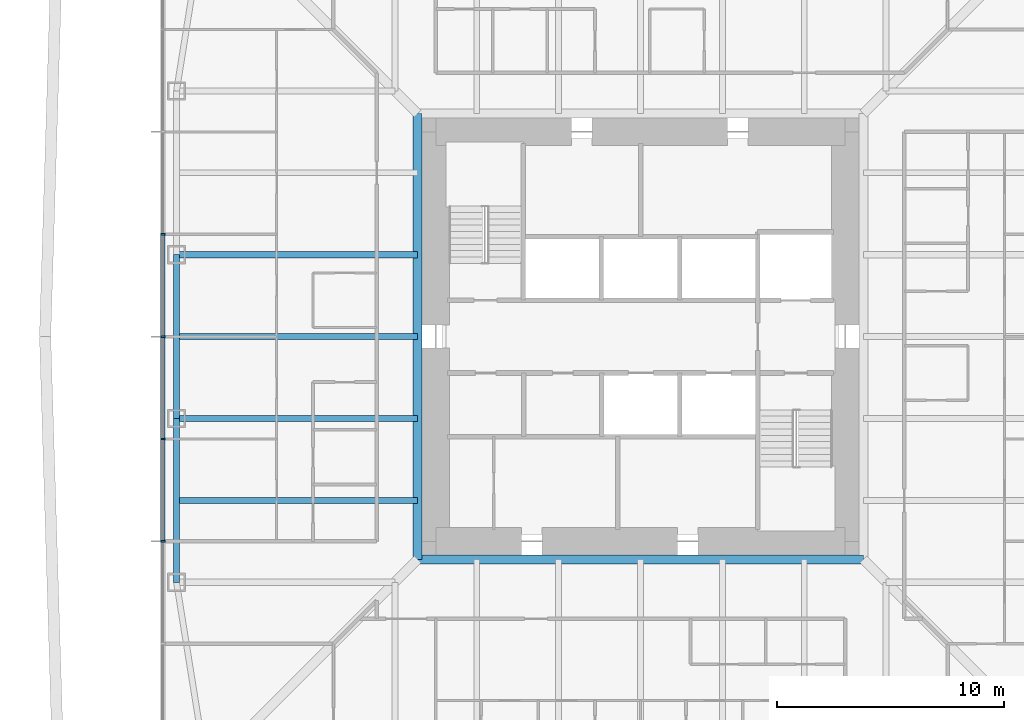
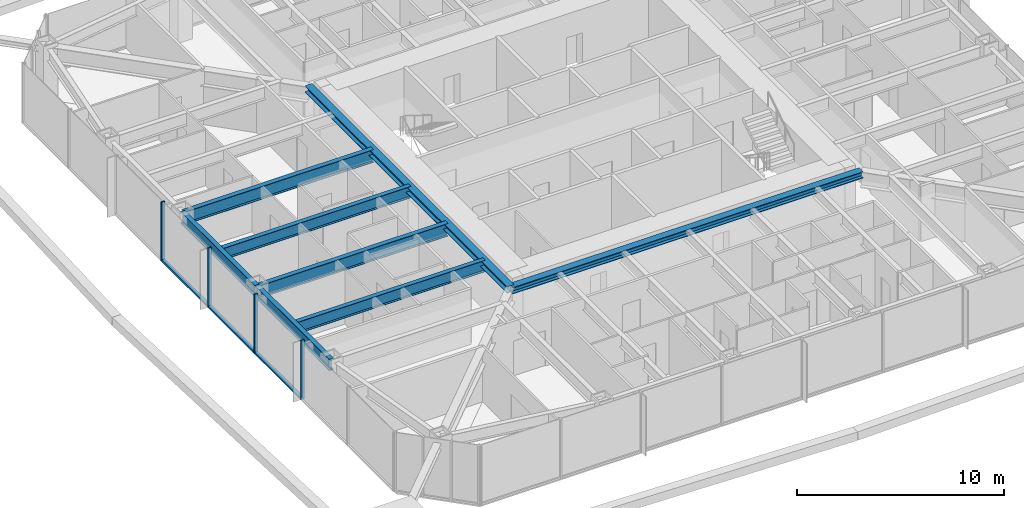
# One storey, part 4 of 27: 8 beams, 7 members, 1 element without a shape of its own.
"""IFC4 building model written with IfcOpenShell, lengths in metres."""

from ifc_helpers import new_model, si_unit, direction, frame, origin, origin_2d, place, context, subcontext, project, spatial, rectangle, i_section, extrude, material, material_profile, profile_set, type_object, element, aggregate, save


model = new_model("IFC4")

# Units and contexts
model_context = context("Model", 3, precision=1e-05, world=origin(), true_north=direction((0.0, 1.0)))
body_context = subcontext(model_context, "Body", "Model", "MODEL_VIEW")
ifc_project = project(units=[si_unit("LENGTHUNIT", "METRE"), si_unit("AREAUNIT", "SQUARE_METRE"), si_unit("VOLUMEUNIT", "CUBIC_METRE"), si_unit("PLANEANGLEUNIT", "RADIAN"), si_unit("MASSUNIT", "GRAM", prefix="KILO")], contexts=[model_context])

# Site, building, storey
site_placement = place(None, origin())
site = spatial("IfcSite", under=ifc_project, at=site_placement, CompositionType="ELEMENT")
building_placement = place(site_placement, origin())
building = spatial("IfcBuilding", under=site, at=building_placement, Name="Iwan Alto Co-Living Towers", CompositionType="ELEMENT")
storey_placement = place(building_placement, frame((0.0, 0.0, 91.0)))
storey = spatial("IfcBuildingStorey", under=building, at=storey_placement, Name="L24", CompositionType="ELEMENT", Elevation=91.0)

# Curtain wall, members
ifc_material_1 = material(Name="Bronze aluminium unitised frame", Category="aluminium")
curtain_wall_type = type_object("IfcCurtainWallType", Name="CURTAIN WALL CW-A", PredefinedType="NOTDEFINED", material=ifc_material_1)
curtain_wall_placement = place(storey_placement, origin())
curtain_wall = element("IfcCurtainWall", 1, at=curtain_wall_placement, inside=storey, type_object=curtain_wall_type, Name="T1 curtain wall W L24", PredefinedType="NOTDEFINED")
ifc_material_2 = material(Name="Aluminium 6063-T6 bronze anodised", Category="aluminium")
ifc_material_profile_1 = material_profile(ifc_material_2, rectangle(XDim=0.199951171875, YDim=0.080078125, at=origin_2d()), Name="AL 80X200")
ifc_profile_set_1 = profile_set([ifc_material_profile_1], Name="Aluminium 6063-T6 bronze anodised")
member_type_1 = type_object("IfcMemberType", Name="CW-A MULLION 80X200", PredefinedType="MULLION", material=ifc_profile_set_1)
member_1_placement = place(storey_placement, frame((-21.0, 4.5, 0.0), z_axis=(0.0, 0.0, 1.0), x_axis=(1.0, 0.0, 0.0)))
member_1 = element("IfcMember", 2, at=member_1_placement, type_object=member_type_1, Name="CW-A mullion 4", PredefinedType="MULLION", context=body_context, shape_type="SweptSolid", body=[
    extrude(rectangle(XDim=0.199951171875, YDim=0.080078125, at=origin_2d()), origin(), (0.0, 0.0, 1.0), 3.5),
])
member_2_placement = place(storey_placement, frame((-21.0, 0.0, 0.0), z_axis=(0.0, 0.0, 1.0), x_axis=(1.0, 0.0, 0.0)))
member_2 = element("IfcMember", 3, at=member_2_placement, type_object=member_type_1, Name="CW-A mullion 5", PredefinedType="MULLION", context=body_context, shape_type="SweptSolid", body=[
    extrude(rectangle(XDim=0.199951171875, YDim=0.080078125, at=origin_2d()), origin(), (0.0, 0.0, 1.0), 3.5),
])
member_3_placement = place(storey_placement, frame((-21.0, -4.5, 0.0), z_axis=(0.0, 0.0, 1.0), x_axis=(1.0, 0.0, 0.0)))
member_3 = element("IfcMember", 4, at=member_3_placement, type_object=member_type_1, Name="CW-A mullion 6", PredefinedType="MULLION", context=body_context, shape_type="SweptSolid", body=[
    extrude(rectangle(XDim=0.199951171875, YDim=0.080078125, at=origin_2d()), origin(), (0.0, 0.0, 1.0), 3.5),
])
member_4_placement = place(storey_placement, frame((-21.0, -9.0, 0.0), z_axis=(0.0, 0.0, 1.0), x_axis=(1.0, 0.0, 0.0)))
member_4 = element("IfcMember", 5, at=member_4_placement, type_object=member_type_1, Name="CW-A mullion 7", PredefinedType="MULLION", context=body_context, shape_type="SweptSolid", body=[
    extrude(rectangle(XDim=0.199951171875, YDim=0.080078125, at=origin_2d()), origin(), (0.0, 0.0, 1.0), 3.5),
])
ifc_material_3 = material(Name="Aluminium 6063-T6 bronze anodised", Category="aluminium")
ifc_material_profile_2 = material_profile(ifc_material_3, rectangle(XDim=0.199951171875, YDim=0.10009765625, at=origin_2d()), Name="AL 200X100")
ifc_profile_set_2 = profile_set([ifc_material_profile_2], Name="Aluminium 6063-T6 bronze anodised")
member_type_2 = type_object("IfcMemberType", Name="CW-A TRANSOM 200X100", PredefinedType="USERDEFINED", material=ifc_profile_set_2)
member_5_placement = place(storey_placement, frame((-21.0, 4.4599609375, 0.050048828125), z_axis=(0.0, -1.0, 0.0), x_axis=(1.0, 0.0, 0.0)))
member_5 = element("IfcMember", 6, at=member_5_placement, type_object=member_type_2, Name="CW-A transom 4.1", ObjectType="TRANSOM", PredefinedType="USERDEFINED", context=body_context, shape_type="SweptSolid", body=[
    extrude(rectangle(XDim=0.199951171875, YDim=0.10009765625, at=origin_2d()), origin(), (0.0, 0.0, 1.0), 4.419921875),
])
member_6_placement = place(storey_placement, frame((-21.0, -0.0400390625, 0.050048828125), z_axis=(0.0, -1.0, 0.0), x_axis=(1.0, 0.0, 0.0)))
member_6 = element("IfcMember", 7, at=member_6_placement, type_object=member_type_2, Name="CW-A transom 5.1", ObjectType="TRANSOM", PredefinedType="USERDEFINED", context=body_context, shape_type="SweptSolid", body=[
    extrude(rectangle(XDim=0.199951171875, YDim=0.10009765625, at=origin_2d()), origin(), (0.0, 0.0, 1.0), 4.419921875),
])
member_7_placement = place(storey_placement, frame((-21.0, -4.5400390625, 0.050048828125), z_axis=(0.0, -1.0, 0.0), x_axis=(1.0, 0.0, 0.0)))
member_7 = element("IfcMember", 8, at=member_7_placement, type_object=member_type_2, Name="CW-A transom 6.1", ObjectType="TRANSOM", PredefinedType="USERDEFINED", context=body_context, shape_type="SweptSolid", body=[
    extrude(rectangle(XDim=0.199951171875, YDim=0.10009765625, at=origin_2d()), origin(), (0.0, 0.0, 1.0), 4.419921875),
])
aggregate(curtain_wall, [member_1, member_2, member_3, member_4, member_5, member_6, member_7])

# Beams
ifc_material_4 = material(Name="Steel ASTM A992 Gr 50", Category="steel")
ifc_material_profile_3 = material_profile(ifc_material_4, i_section(OverallWidth=0.398681640625, OverallDepth=0.385986328125, WebThickness=0.02099609375, FlangeThickness=0.033203125, at=origin_2d()), Name="W14X176")
ifc_profile_set_3 = profile_set([ifc_material_profile_3], Name="Steel ASTM A992 Gr 50")
beam_type_1 = type_object("IfcBeamType", Name="T1 CORE LEDGER BEAM W14X176", PredefinedType="BEAM", material=ifc_profile_set_3)
for number, where, z_axis, x_axis, name in (
    (9, (-9.79931640625, -9.79931640625, 3.076904296875), (1.0, 0.0, 0.0), (0.0, 1.0, 0.0), "T1 core ledger beam S L25"),
    (10, (-9.79931640625, 9.79931640625, 3.076904296875), (0.0, -1.0, 0.0), (1.0, 0.0, 0.0), "T1 core ledger beam W L25"),
):
    element("IfcBeam", number, at=place(storey_placement, frame(where, z_axis=z_axis, x_axis=x_axis)), inside=storey, type_object=beam_type_1, Name=name, PredefinedType="BEAM", context=body_context, shape_type="SweptSolid", body=[
        extrude(i_section(OverallWidth=0.398681640625, OverallDepth=0.385986328125, WebThickness=0.02099609375, FlangeThickness=0.033203125, at=origin_2d()), origin(), (0.0, 0.0, 1.0), 19.5986328125),
    ])
ifc_material_5 = material(Name="Steel ASTM A992 Gr 50", Category="steel")
ifc_material_profile_4 = material_profile(ifc_material_5, i_section(OverallWidth=0.25390625, OverallDepth=0.683349609375, WebThickness=0.012451171875, FlangeThickness=0.018798828125, at=origin_2d()), Name="W27X94")
ifc_profile_set_4 = profile_set([ifc_material_profile_4], Name="Steel ASTM A992 Gr 50")
beam_type_2 = type_object("IfcBeamType", Name="T1 EDGE BEAM W27X94", PredefinedType="BEAM", material=ifc_profile_set_4)
beam_1_placement = place(storey_placement, frame((-20.39990234375, 3.60009765625, 2.928466796875), z_axis=(0.0, -1.0, 0.0), x_axis=(1.0, 0.0, 0.0)))
element("IfcBeam", 11, at=beam_1_placement, inside=storey, type_object=beam_type_2, Name="T1 edge beam W2 L25", PredefinedType="BEAM", context=body_context, shape_type="SweptSolid", body=[
    extrude(i_section(OverallWidth=0.25390625, OverallDepth=0.683349609375, WebThickness=0.012451171875, FlangeThickness=0.018798828125, at=origin_2d()), origin(), (0.0, 0.0, 1.0), 7.2001953125),
])
beam_2_placement = place(storey_placement, frame((-20.39990234375, -3.60009765625, 2.928466796875), z_axis=(0.0, -1.0, 0.0), x_axis=(1.0, 0.0, 0.0)))
element("IfcBeam", 12, at=beam_2_placement, inside=storey, type_object=beam_type_2, Name="T1 edge beam W3 L25", PredefinedType="BEAM", context=body_context, shape_type="SweptSolid", body=[
    extrude(i_section(OverallWidth=0.25390625, OverallDepth=0.683349609375, WebThickness=0.012451171875, FlangeThickness=0.018798828125, at=origin_2d()), origin(), (0.0, 0.0, 1.0), 7.199951171875),
])
ifc_material_6 = material(Name="Steel ASTM A992 Gr 50", Category="steel")
ifc_material_profile_5 = material_profile(ifc_material_6, i_section(OverallWidth=0.2666015625, OverallDepth=0.761962890625, WebThickness=0.014404296875, FlangeThickness=0.021484375, at=origin_2d()), Name="W30X116")
ifc_profile_set_5 = profile_set([ifc_material_profile_5], Name="Steel ASTM A992 Gr 50")
beam_type_3 = type_object("IfcBeamType", Name="T1 RADIAL BEAM W30X116", PredefinedType="BEAM", material=ifc_profile_set_5)
for number, where, z_axis, x_axis, name in (
    (13, (-20.39990234375, 3.60009765625, 2.888916015625), (1.0, 0.0, 0.0), (0.0, 1.0, 0.0), "T1 radial beam W2 L25"),
    (14, (-20.39990234375, -3.60009765625, 2.888916015625), (1.0, 0.0, 0.0), (0.0, 1.0, 0.0), "T1 radial beam W3 L25"),
):
    element("IfcBeam", number, at=place(storey_placement, frame(where, z_axis=z_axis, x_axis=x_axis)), inside=storey, type_object=beam_type_3, Name=name, PredefinedType="BEAM", context=body_context, shape_type="SweptSolid", body=[
        extrude(i_section(OverallWidth=0.2666015625, OverallDepth=0.761962890625, WebThickness=0.014404296875, FlangeThickness=0.021484375, at=origin_2d()), origin(), (0.0, 0.0, 1.0), 10.6005859375),
    ])
ifc_material_7 = material(Name="Steel ASTM A992 Gr 50", Category="steel")
ifc_material_profile_6 = material_profile(ifc_material_7, i_section(OverallWidth=0.25390625, OverallDepth=0.683349609375, WebThickness=0.012451171875, FlangeThickness=0.018798828125, at=origin_2d()), Name="W27X94")
ifc_profile_set_6 = profile_set([ifc_material_profile_6], Name="Steel ASTM A992 Gr 50")
beam_type_4 = type_object("IfcBeamType", Name="T1 SECONDARY BEAM W27X94", PredefinedType="JOIST", material=ifc_profile_set_6)
for number, where, z_axis, x_axis, name in (
    (15, (-20.39990234375, 0.0, 2.928466796875), (1.0, 0.0, 0.0), (0.0, 1.0, 0.0), "T1 secondary beam W2 L25"),
    (16, (-20.39990234375, -7.199951171875, 2.928466796875), (1.0, 0.0, 0.0), (0.0, 1.0, 0.0), "T1 secondary beam W3 L25"),
):
    element("IfcBeam", number, at=place(storey_placement, frame(where, z_axis=z_axis, x_axis=x_axis)), inside=storey, type_object=beam_type_4, Name=name, PredefinedType="JOIST", context=body_context, shape_type="SweptSolid", body=[
        extrude(i_section(OverallWidth=0.25390625, OverallDepth=0.683349609375, WebThickness=0.012451171875, FlangeThickness=0.018798828125, at=origin_2d()), origin(), (0.0, 0.0, 1.0), 10.6005859375),
    ])

save(model, "model.ifc")
